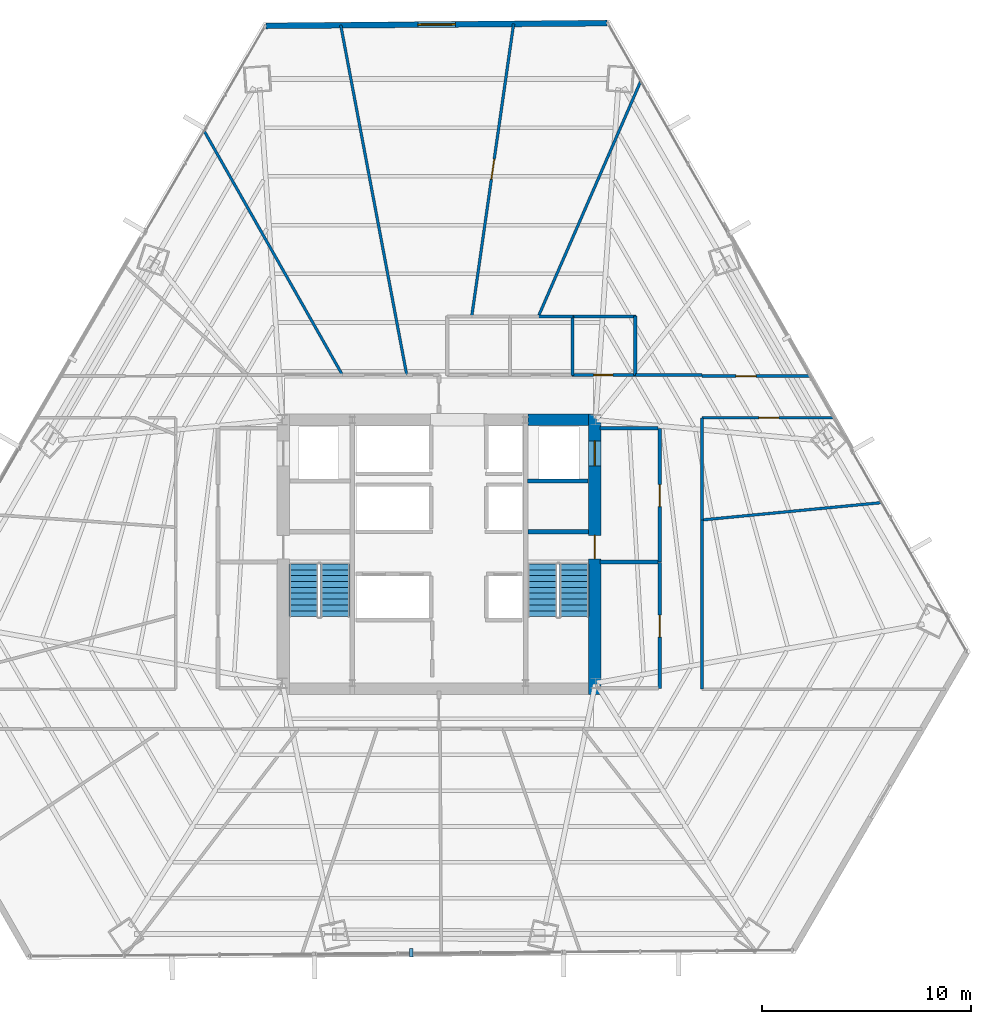
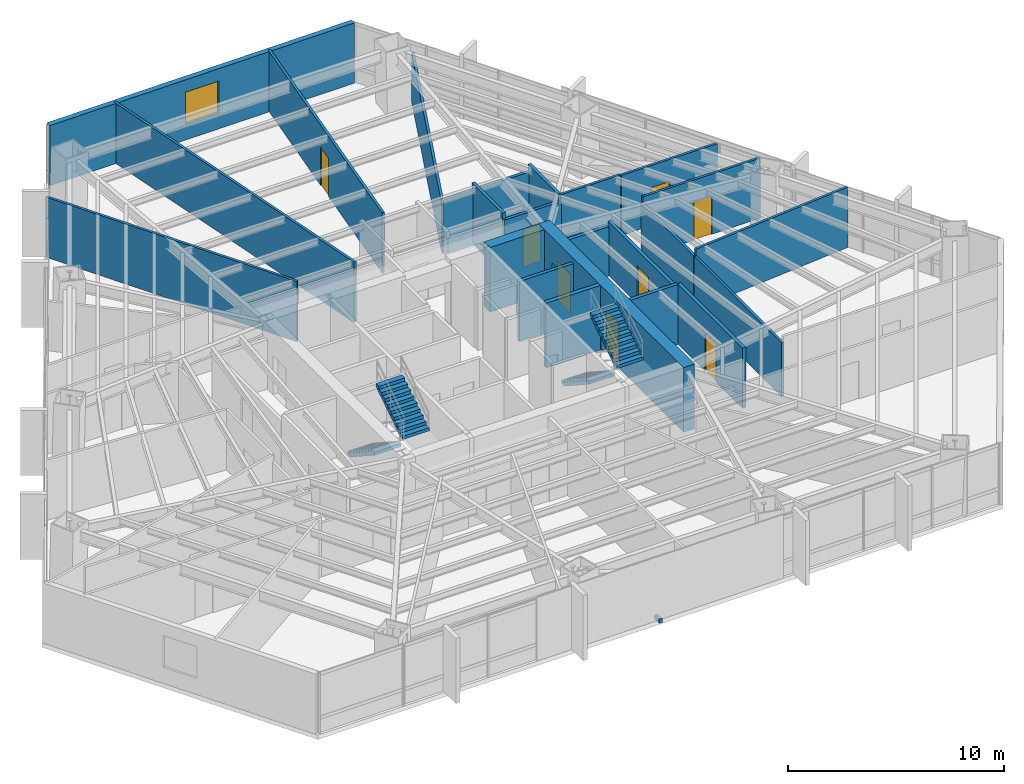
# One storey, part 31 of 35: 24 walls, 8 doors, 4 stair flights, 1 discrete accessory, 1 window, 9 openings, 2 elements without a shape of their own.
"""IFC4 building model written with IfcOpenShell, lengths in metres."""

from ifc_helpers import new_model, si_unit, direction, frame, frame_2d, origin, origin_2d, place, context, subcontext, project, spatial, polyline, rectangle, outline, extrude, source, transform, mapped, material, layer, layer_set, type_object, type_shapes, element, fill, aggregate, save


model = new_model("IFC4")

# Units and contexts
model_context = context("Model", 3, precision=1e-05, world=origin(), true_north=direction((0.0, 1.0)))
body_context = subcontext(model_context, "Body", "Model", "MODEL_VIEW")
ifc_project = project(units=[si_unit("LENGTHUNIT", "METRE"), si_unit("AREAUNIT", "SQUARE_METRE"), si_unit("VOLUMEUNIT", "CUBIC_METRE"), si_unit("PLANEANGLEUNIT", "RADIAN"), si_unit("MASSUNIT", "GRAM", prefix="KILO")], contexts=[model_context])

# Site, building, storey
site_placement = place(None, origin())
site = spatial("IfcSite", under=ifc_project, at=site_placement, CompositionType="ELEMENT")
building_placement = place(site_placement, origin())
building = spatial("IfcBuilding", under=site, at=building_placement, Name="Caelisora Broadcast Tower", CompositionType="ELEMENT")
storey_placement = place(building_placement, frame((0.0, 0.0, 53.14990234375)))
storey = spatial("IfcBuildingStorey", under=building, at=storey_placement, Name="L13", CompositionType="ELEMENT", Elevation=53.14990234375)

# Wall, openings, doors
ifc_material_1 = material(Name="Concrete 65 MPa (AS 3600 S65)", Category="concrete")
ifc_layer_1 = layer(ifc_material_1, 0.60009765625, Name="Concrete 65 MPa (AS 3600 S65)")
ifc_layer_set_1 = layer_set([ifc_layer_1], Name="Concrete 65 MPa (AS 3600 S65)")
wall_type_1 = type_object("IfcWallType", Name="CW1", PredefinedType="SHEAR", material=ifc_layer_set_1)
wall_1_placement = place(storey_placement, frame((45.4599609375, 16.85009765625, 0.0), z_axis=(0.0, 0.0, 1.0), x_axis=(0.0, 1.0, 0.0)))
wall_1 = element("IfcWall", 1, at=wall_1_placement, inside=storey, type_object=wall_type_1, Name="L13 core shear wall CW1", PredefinedType="SHEAR", context=body_context, shape_type="SweptSolid", body=[
    extrude(rectangle(XDim=13.4248046875, YDim=0.60009765625, at=frame_2d((6.71240234375, 0.0))), origin(), (0.0, 0.0, 1.0), 3.650146484375),
])
opening_1_placement = place(wall_1_placement, frame((6.5, 0.0, 0.0)))
opening_1 = element("IfcOpeningElement", 2, at=opening_1_placement, cuts=wall_1, Name="Opening FD04", PredefinedType="OPENING", context=body_context, shape_type="SweptSolid", body=[
    extrude(rectangle(XDim=1.1201171875, YDim=2.14990234375, at=frame_2d((0.56005859375, 1.074951171875))), frame((0.0, 0.31201171875, 0.0), z_axis=(0.0, -1.0, 0.0), x_axis=(1.0, 0.0, 0.0)), (0.0, 0.0, 1.0), 0.6240234375),
])
opening_2_placement = place(wall_1_placement, frame((10.949951171875, 0.0, 0.0)))
opening_2 = element("IfcOpeningElement", 3, at=opening_2_placement, cuts=wall_1, Name="Opening LD04", PredefinedType="OPENING", context=body_context, shape_type="SweptSolid", body=[
    extrude(rectangle(XDim=1.199951171875, YDim=2.199951171875, at=frame_2d((0.60009765625, 1.10009765625))), frame((0.0, 0.31201171875, 0.0), z_axis=(0.0, -1.0, 0.0), x_axis=(1.0, 0.0, 0.0)), (0.0, 0.0, 1.0), 0.6240234375),
])
ifc_material_2 = material(Name="Pressurised Fire-Isolated Stair Door", Category="steel")
door_type_1 = type_object("IfcDoorType", Name="FD04", OperationType="NOTDEFINED", PredefinedType="DOOR", material=ifc_material_2)
door_1_placement = place(opening_1_placement, origin())
door_1 = element("IfcDoor", 4, at=door_1_placement, inside=storey, type_object=door_type_1, Name="L13 door FD04 (L13-DR-ST2)", OperationType="SINGLE_SWING_RIGHT", OverallHeight=2.14990234375, OverallWidth=1.1201171875, PredefinedType="DOOR", context=body_context, shape_type="SweptSolid", body=[
    extrude(rectangle(XDim=1.1201171875, YDim=2.14990234375, at=frame_2d((0.56005859375, 1.074951171875))), frame((0.0, 0.02490234375, 0.0), z_axis=(0.0, -1.0, 0.0), x_axis=(1.0, 0.0, 0.0)), (0.0, 0.0, 1.0), 0.050048828125),
])
fill(opening_1, door_1)
ifc_material_3 = material(Name="Emergency Firefighting Lift Sliding Landing Door", Category="steel")
door_type_2 = type_object("IfcDoorType", Name="LD04", OperationType="NOTDEFINED", PredefinedType="DOOR", material=ifc_material_3)
door_2_placement = place(opening_2_placement, origin())
door_2 = element("IfcDoor", 5, at=door_2_placement, inside=storey, type_object=door_type_2, Name="L13 door LD04 (L13-LD-FFL2)", OperationType="SLIDING_TO_RIGHT", OverallHeight=2.199951171875, OverallWidth=1.199951171875, PredefinedType="DOOR", context=body_context, shape_type="SweptSolid", body=[
    extrude(rectangle(XDim=1.199951171875, YDim=2.199951171875, at=frame_2d((0.60009765625, 1.10009765625))), frame((0.0, 0.02490234375, 0.0), z_axis=(0.0, -1.0, 0.0), x_axis=(1.0, 0.0, 0.0)), (0.0, 0.0, 1.0), 0.050048828125),
])
fill(opening_2, door_2)

# Walls
ifc_layer_2 = layer(ifc_material_1, 0.550048828125, Name="Concrete 65 MPa (AS 3600 S65)")
ifc_layer_set_2 = layer_set([ifc_layer_2], Name="Concrete 65 MPa (AS 3600 S65)")
wall_type_2 = type_object("IfcWallType", Name="CW4", PredefinedType="SHEAR", material=ifc_layer_set_2)
wall_2_placement = place(storey_placement, frame((42.260009765625, 30.0, 0.0), z_axis=(0.0, 0.0, 1.0), x_axis=(1.0, 0.0, 0.0)))
element("IfcWall", 6, at=wall_2_placement, inside=storey, type_object=wall_type_2, Name="L13 core shear wall CW4", PredefinedType="SHEAR", context=body_context, shape_type="SweptSolid", body=[
    extrude(rectangle(XDim=2.89990234375, YDim=0.550048828125, at=frame_2d((1.449951171875, 0.0))), origin(), (0.0, 0.0, 1.0), 3.650146484375),
])
ifc_material_4 = material(Name="Concrete 50 MPa (AS 3600 S50)", Category="concrete")
ifc_layer_3 = layer(ifc_material_4, 0.219970703125, Name="Concrete 50 MPa (AS 3600 S50)")
ifc_layer_set_3 = layer_set([ifc_layer_3], Name="Concrete 50 MPa (AS 3600 S50)")
wall_type_3 = type_object("IfcWallType", Name="CW7", PredefinedType="SHEAR", material=ifc_layer_set_3)
wall_3_placement = place(storey_placement, frame((42.260009765625, 24.639892578125, 0.0), z_axis=(0.0, 0.0, 1.0), x_axis=(1.0, 0.0, 0.0)))
element("IfcWall", 7, at=wall_3_placement, inside=storey, type_object=wall_type_3, Name="L13 core shear wall CW7", PredefinedType="SHEAR", context=body_context, shape_type="SweptSolid", body=[
    extrude(rectangle(XDim=2.89990234375, YDim=0.219970703125, at=frame_2d((1.449951171875, 0.0))), origin(), (0.0, 0.0, 1.0), 3.650146484375),
])

# Wall, opening, window
ifc_material_5 = material(Name="Insulated Terracotta Spandrel Wall System", Category="masonry")
ifc_layer_4 = layer(ifc_material_5, 0.280029296875, Name="Insulated Terracotta Spandrel Wall System")
ifc_layer_set_4 = layer_set([ifc_layer_4], Name="Insulated Terracotta Spandrel Wall System")
wall_type_4 = type_object("IfcWallType", Name="EW1", PredefinedType="STANDARD", material=ifc_layer_set_4)
wall_4_placement = place(storey_placement, frame((29.718017578125, 48.8701171875, 0.0), z_axis=(0.0, 0.0, 1.0), x_axis=(0.999968989334, 0.007875301234, 0.0)))
wall_4 = element("IfcWall", 8, at=wall_4_placement, inside=storey, type_object=wall_type_4, Name="L13 exterior envelope wall EW1", PredefinedType="STANDARD", context=body_context, shape_type="SweptSolid", body=[
    extrude(rectangle(XDim=16.33740234375, YDim=0.280029296875, at=frame_2d((8.168701171875, 0.0))), origin(), (0.0, 0.0, 1.0), 3.400146484375),
])
opening_3_placement = place(wall_4_placement, frame((7.27001953125, 0.0, 0.89990234375)))
opening_3 = element("IfcOpeningElement", 9, at=opening_3_placement, cuts=wall_4, Name="Opening W01", PredefinedType="OPENING", context=body_context, shape_type="SweptSolid", body=[
    extrude(rectangle(XDim=1.800048828125, YDim=1.800048828125, at=frame_2d((0.89990234375, 0.89990234375))), frame((0.0, 0.152099609375, 0.0), z_axis=(0.0, -1.0, 0.0), x_axis=(1.0, 0.0, 0.0)), (0.0, 0.0, 1.0), 0.303955078125),
])
ifc_material_6 = material(Name="Double Glazed Terracotta-Framed Vision Window", Category="glass")
window_type = type_object("IfcWindowType", Name="W01", PartitioningType="SINGLE_PANEL", PredefinedType="WINDOW", material=ifc_material_6)
window_placement = place(opening_3_placement, origin())
window = element("IfcWindow", 10, at=window_placement, inside=storey, type_object=window_type, Name="L13 window W01 (L13-WN-CH8)", OverallHeight=1.800048828125, OverallWidth=1.800048828125, PartitioningType="SINGLE_PANEL", PredefinedType="WINDOW", context=body_context, shape_type="SweptSolid", body=[
    extrude(rectangle(XDim=1.800048828125, YDim=1.800048828125, at=frame_2d((0.89990234375, 0.89990234375))), frame((0.0, 0.030029296875, 0.0), z_axis=(0.0, -1.0, 0.0), x_axis=(1.0, 0.0, 0.0)), (0.0, 0.0, 1.0), 0.06005859375),
])
fill(opening_3, window)

# Wall, opening, door
ifc_material_7 = material(Name="Fire-Rated Gypsum Shaft and Compartment Wall", Category="gypsum")
ifc_layer_5 = layer(ifc_material_7, 0.179931640625, Name="Fire-Rated Gypsum Shaft and Compartment Wall")
ifc_layer_set_5 = layer_set([ifc_layer_5], Name="Fire-Rated Gypsum Shaft and Compartment Wall")
wall_type_5 = type_object("IfcWallType", Name="PW2", PredefinedType="PARTITIONING", material=ifc_layer_set_5)
wall_5_placement = place(storey_placement, frame((48.580078125, 23.199951171875, 0.0), z_axis=(0.0, 0.0, 1.0), x_axis=(0.0, 1.0, 0.0)))
wall_5 = element("IfcWall", 11, at=wall_5_placement, inside=storey, type_object=wall_type_5, Name="L13 fire compartment wall PW2", PredefinedType="PARTITIONING", context=body_context, shape_type="SweptSolid", body=[
    extrude(rectangle(XDim=6.400146484375, YDim=0.179931640625, at=frame_2d((3.2001953125, 0.0))), origin(), (0.0, 0.0, 1.0), 3.026611328125),
])
opening_4_placement = place(wall_5_placement, frame((2.64990234375, 0.0, 0.0)))
opening_4 = element("IfcOpeningElement", 12, at=opening_4_placement, cuts=wall_5, Name="Opening FD02", PredefinedType="OPENING", context=body_context, shape_type="SweptSolid", body=[
    extrude(rectangle(XDim=1.050048828125, YDim=2.14990234375, at=frame_2d((0.52490234375, 1.074951171875))), frame((0.0, 0.10205078125, 0.0), z_axis=(0.0, -1.0, 0.0), x_axis=(1.0, 0.0, 0.0)), (0.0, 0.0, 1.0), 0.203857421875),
])
ifc_material_8 = material(Name="Single-Leaf Steel Fire Lobby Door", Category="steel")
door_type_3 = type_object("IfcDoorType", Name="FD02", OperationType="NOTDEFINED", PredefinedType="DOOR", material=ifc_material_8)
door_3_placement = place(opening_4_placement, origin())
door_3 = element("IfcDoor", 13, at=door_3_placement, inside=storey, type_object=door_type_3, Name="L13 door FD02 (L13-DR-P04D1)", OperationType="SINGLE_SWING_RIGHT", OverallHeight=2.14990234375, OverallWidth=1.050048828125, PredefinedType="DOOR", context=body_context, shape_type="SweptSolid", body=[
    extrude(rectangle(XDim=1.050048828125, YDim=2.14990234375, at=frame_2d((0.52490234375, 1.074951171875))), frame((0.0, 0.02490234375, 0.0), z_axis=(0.0, -1.0, 0.0), x_axis=(1.0, 0.0, 0.0)), (0.0, 0.0, 1.0), 0.050048828125),
])
fill(opening_4, door_3)

# Walls
wall_6_placement = place(storey_placement, frame((45.719970703125, 23.199951171875, 0.0), z_axis=(0.0, 0.0, 1.0), x_axis=(1.0, 0.0, 0.0)))
element("IfcWall", 14, at=wall_6_placement, inside=storey, type_object=wall_type_5, Name="L13 fire compartment wall PW2", PredefinedType="PARTITIONING", context=body_context, shape_type="SweptSolid", body=[
    extrude(rectangle(XDim=2.760009765625, YDim=0.179931640625, at=frame_2d((1.3798828125, 0.0))), origin(), (0.0, 0.0, 1.0), 3.400146484375),
])
wall_7_placement = place(storey_placement, frame((45.719970703125, 29.60009765625, 0.0), z_axis=(0.0, 0.0, 1.0), x_axis=(1.0, 0.0, 0.0)))
element("IfcWall", 15, at=wall_7_placement, inside=storey, type_object=wall_type_5, Name="L13 fire compartment wall PW2", PredefinedType="PARTITIONING", context=body_context, shape_type="SweptSolid", body=[
    extrude(rectangle(XDim=2.760009765625, YDim=0.179931640625, at=frame_2d((1.3798828125, 0.0))), origin(), (0.0, 0.0, 1.0), 2.782958984375),
])
wall_8_placement = place(storey_placement, frame((42.239990234375, 27.070068359375, 0.0), z_axis=(0.0, 0.0, 1.0), x_axis=(1.0, 0.0, 0.0)))
element("IfcWall", 16, at=wall_8_placement, inside=storey, type_object=wall_type_5, Name="L13 fire compartment wall PW2", PredefinedType="PARTITIONING", context=body_context, shape_type="SweptSolid", body=[
    extrude(rectangle(XDim=2.89990234375, YDim=0.179931640625, at=frame_2d((1.449951171875, 0.0))), origin(), (0.0, 0.0, 1.0), 3.400146484375),
])

# Wall, opening, door
wall_9_placement = place(storey_placement, frame((48.580078125, 17.14990234375, 0.0), z_axis=(0.0, 0.0, 1.0), x_axis=(0.0, 1.0, 0.0)))
wall_9 = element("IfcWall", 17, at=wall_9_placement, inside=storey, type_object=wall_type_5, Name="L13 fire compartment wall PW2", PredefinedType="PARTITIONING", context=body_context, shape_type="SweptSolid", body=[
    extrude(rectangle(XDim=6.030029296875, YDim=0.179931640625, at=frame_2d((3.01513671875, 0.0))), origin(), (0.0, 0.0, 1.0), 3.400146484375),
])
opening_5_placement = place(wall_9_placement, frame((2.449951171875, 0.0, 0.0)))
opening_5 = element("IfcOpeningElement", 18, at=opening_5_placement, cuts=wall_9, Name="Opening FD02", PredefinedType="OPENING", context=body_context, shape_type="SweptSolid", body=[
    extrude(rectangle(XDim=1.050048828125, YDim=2.14990234375, at=frame_2d((0.52490234375, 1.074951171875))), frame((0.0, 0.10205078125, 0.0), z_axis=(0.0, -1.0, 0.0), x_axis=(1.0, 0.0, 0.0)), (0.0, 0.0, 1.0), 0.203857421875),
])
door_4_placement = place(opening_5_placement, origin())
door_4 = element("IfcDoor", 19, at=door_4_placement, inside=storey, type_object=door_type_3, Name="L13 door FD02 (L13-DR-P14D1)", OperationType="SINGLE_SWING_LEFT", OverallHeight=2.14990234375, OverallWidth=1.050048828125, PredefinedType="DOOR", context=body_context, shape_type="SweptSolid", body=[
    extrude(rectangle(XDim=1.050048828125, YDim=2.14990234375, at=frame_2d((0.52490234375, 1.074951171875))), frame((0.0, 0.02490234375, 0.0), z_axis=(0.0, -1.0, 0.0), x_axis=(1.0, 0.0, 0.0)), (0.0, 0.0, 1.0), 0.050048828125),
])
fill(opening_5, door_4)

# Wall
ifc_material_9 = material(Name="Acoustic Steel-Stud Plasterboard Partition", Category="gypsum")
ifc_layer_6 = layer(ifc_material_9, 0.1298828125, Name="Acoustic Steel-Stud Plasterboard Partition")
ifc_layer_set_6 = layer_set([ifc_layer_6], Name="Acoustic Steel-Stud Plasterboard Partition")
wall_type_6 = type_object("IfcWallType", Name="PW3", PredefinedType="PARTITIONING", material=ifc_layer_set_6)
wall_10_placement = place(storey_placement, frame((33.29833984375, 48.9033203125, 0.0), z_axis=(0.0, 0.0, 1.0), x_axis=(0.1854412642, -0.98265535033, 0.0)))
element("IfcWall", 20, at=wall_10_placement, inside=storey, type_object=wall_type_6, Name="L13 internal partition PW3", PredefinedType="PARTITIONING", context=body_context, shape_type="SweptSolid", body=[
    extrude(rectangle(XDim=17.0439453125, YDim=0.1298828125, at=frame_2d((8.52197265625, 0.0))), origin(), (0.0, 0.0, 1.0), 3.400146484375),
])

# Wall, opening, door
wall_11_placement = place(storey_placement, frame((39.571044921875, 34.955078125, 0.0), z_axis=(0.0, 0.0, 1.0), x_axis=(0.141691765626, 0.989910826062, 0.0)))
wall_11 = element("IfcWall", 21, at=wall_11_placement, inside=storey, type_object=wall_type_6, Name="L13 internal partition PW3", PredefinedType="PARTITIONING", context=body_context, shape_type="SweptSolid", body=[
    extrude(rectangle(XDim=14.156494140625, YDim=0.1298828125, at=frame_2d((7.078125, 0.0))), origin(), (0.0, 0.0, 1.0), 3.400146484375),
])
opening_6_placement = place(wall_11_placement, frame((6.64404296875, 0.0, 0.0)))
opening_6 = element("IfcOpeningElement", 22, at=opening_6_placement, cuts=wall_11, Name="Opening D01", PredefinedType="OPENING", context=body_context, shape_type="SweptSolid", body=[
    extrude(rectangle(XDim=0.9599609375, YDim=2.14990234375, at=frame_2d((0.47998046875, 1.074951171875))), frame((0.0, 0.076904296875, 0.0), z_axis=(0.0, -1.0, 0.0), x_axis=(1.0, 0.0, 0.0)), (0.0, 0.0, 1.0), 0.15380859375),
])
ifc_material_10 = material(Name="Solid-Core Timber Acoustic Office Door", Category="wood")
door_type_4 = type_object("IfcDoorType", Name="D01", OperationType="NOTDEFINED", PredefinedType="DOOR", material=ifc_material_10)
door_5_placement = place(opening_6_placement, origin())
door_5 = element("IfcDoor", 23, at=door_5_placement, inside=storey, type_object=door_type_4, Name="L13 door D01 (L13-DR-P30D1)", OperationType="SINGLE_SWING_RIGHT", OverallHeight=2.14990234375, OverallWidth=0.9599609375, PredefinedType="DOOR", context=body_context, shape_type="SweptSolid", body=[
    extrude(rectangle(XDim=0.9599609375, YDim=2.14990234375, at=frame_2d((0.47998046875, 1.074951171875))), frame((0.0, 0.02490234375, 0.0), z_axis=(0.0, -1.0, 0.0), x_axis=(1.0, 0.0, 0.0)), (0.0, 0.0, 1.0), 0.050048828125),
])
fill(opening_6, door_5)

# Walls
wall_12_placement = place(storey_placement, frame((26.756103515625, 43.8408203125, 0.0), z_axis=(0.0, 0.0, 1.0), x_axis=(0.492974508402, -0.87004375411, 0.0)))
element("IfcWall", 24, at=wall_12_placement, inside=storey, type_object=wall_type_6, Name="L13 internal partition PW3", PredefinedType="PARTITIONING", context=body_context, shape_type="SweptSolid", body=[
    extrude(rectangle(XDim=13.432373046875, YDim=0.1298828125, at=frame_2d((6.71630859375, 0.0))), origin(), (0.0, 0.0, 1.0), 3.400146484375),
])
wall_13_placement = place(storey_placement, frame((42.761962890625, 34.955078125, 0.0), z_axis=(0.0, 0.0, 1.0), x_axis=(0.398972110349, 0.916963060959, 0.0)))
element("IfcWall", 25, at=wall_13_placement, inside=storey, type_object=wall_type_6, Name="L13 internal partition PW3", PredefinedType="PARTITIONING", context=body_context, shape_type="SweptSolid", body=[
    extrude(rectangle(XDim=12.301513671875, YDim=0.1298828125, at=frame_2d((6.15087890625, 0.0))), origin(), (0.0, 0.0, 1.0), 2.782958984375),
])
wall_14_placement = place(storey_placement, frame((50.60498046875, 25.2099609375, 0.0), z_axis=(0.0, 0.0, 1.0), x_axis=(0.995375580707, 0.096059634254, 0.0)))
element("IfcWall", 26, at=wall_14_placement, inside=storey, type_object=wall_type_6, Name="L13 internal partition PW3", PredefinedType="PARTITIONING", context=body_context, shape_type="SweptSolid", body=[
    extrude(rectangle(XDim=8.641357421875, YDim=0.1298828125, at=frame_2d((4.32080078125, 0.0))), origin(), (0.0, 0.0, 1.0), 3.400146484375),
])
wall_15_placement = place(storey_placement, frame((50.60009765625, 17.10498046875, 0.0), z_axis=(0.0, 0.0, 1.0), x_axis=(0.0, 1.0, 0.0)))
element("IfcWall", 27, at=wall_15_placement, inside=storey, type_object=wall_type_6, Name="L13 internal partition PW3", PredefinedType="PARTITIONING", context=body_context, shape_type="SweptSolid", body=[
    extrude(rectangle(XDim=8.10009765625, YDim=0.1298828125, at=frame_2d((4.050048828125, 0.0))), origin(), (0.0, 0.0, 1.0), 3.026611328125),
])

# Wall, opening, door
wall_16_placement = place(storey_placement, frame((50.60498046875, 30.10009765625, 0.0), z_axis=(0.0, 0.0, 1.0), x_axis=(1.0, 0.0, 0.0)))
wall_16 = element("IfcWall", 28, at=wall_16_placement, inside=storey, type_object=wall_type_6, Name="L13 internal partition PW3", PredefinedType="PARTITIONING", context=body_context, shape_type="SweptSolid", body=[
    extrude(rectangle(XDim=6.281982421875, YDim=0.1298828125, at=frame_2d((3.14111328125, 0.0))), origin(), (0.0, 0.0, 1.0), 3.400146484375),
])
opening_7_placement = place(wall_16_placement, frame((2.718017578125, 0.0, 0.0)))
opening_7 = element("IfcOpeningElement", 29, at=opening_7_placement, cuts=wall_16, Name="Opening D01", PredefinedType="OPENING", context=body_context, shape_type="SweptSolid", body=[
    extrude(rectangle(XDim=0.9599609375, YDim=2.14990234375, at=frame_2d((0.47998046875, 1.074951171875))), frame((0.0, 0.076904296875, 0.0), z_axis=(0.0, -1.0, 0.0), x_axis=(1.0, 0.0, 0.0)), (0.0, 0.0, 1.0), 0.15380859375),
])
door_6_placement = place(opening_7_placement, origin())
door_6 = element("IfcDoor", 30, at=door_6_placement, inside=storey, type_object=door_type_4, Name="L13 door D01 (L13-DR-P48D1)", OperationType="SINGLE_SWING_LEFT", OverallHeight=2.14990234375, OverallWidth=0.9599609375, PredefinedType="DOOR", context=body_context, shape_type="SweptSolid", body=[
    extrude(rectangle(XDim=0.9599609375, YDim=2.14990234375, at=frame_2d((0.47998046875, 1.074951171875))), frame((0.0, 0.02490234375, 0.0), z_axis=(0.0, -1.0, 0.0), x_axis=(1.0, 0.0, 0.0)), (0.0, 0.0, 1.0), 0.050048828125),
])
fill(opening_7, door_6)

wall_17_placement = place(storey_placement, frame((50.60498046875, 32.10009765625, 0.0), z_axis=(0.0, 0.0, 1.0), x_axis=(1.0, 0.0, 0.0)))
wall_17 = element("IfcWall", 31, at=wall_17_placement, inside=storey, type_object=wall_type_6, Name="L13 internal partition PW3", PredefinedType="PARTITIONING", context=body_context, shape_type="SweptSolid", body=[
    extrude(rectangle(XDim=5.139404296875, YDim=0.1298828125, at=frame_2d((2.56982421875, 0.0))), origin(), (0.0, 0.0, 1.0), 3.400146484375),
])
opening_8_placement = place(wall_17_placement, frame((1.6201171875, 0.0, 0.0)))
opening_8 = element("IfcOpeningElement", 32, at=opening_8_placement, cuts=wall_17, Name="Opening D01", PredefinedType="OPENING", context=body_context, shape_type="SweptSolid", body=[
    extrude(rectangle(XDim=0.9599609375, YDim=2.14990234375, at=frame_2d((0.47998046875, 1.074951171875))), frame((0.0, 0.076904296875, 0.0), z_axis=(0.0, -1.0, 0.0), x_axis=(1.0, 0.0, 0.0)), (0.0, 0.0, 1.0), 0.15380859375),
])
door_7_placement = place(opening_8_placement, origin())
door_7 = element("IfcDoor", 33, at=door_7_placement, inside=storey, type_object=door_type_4, Name="L13 door D01 (L13-DR-P50D1)", OperationType="SINGLE_SWING_LEFT", OverallHeight=2.14990234375, OverallWidth=0.9599609375, PredefinedType="DOOR", context=body_context, shape_type="SweptSolid", body=[
    extrude(rectangle(XDim=0.9599609375, YDim=2.14990234375, at=frame_2d((0.47998046875, 1.074951171875))), frame((0.0, 0.02490234375, 0.0), z_axis=(0.0, -1.0, 0.0), x_axis=(1.0, 0.0, 0.0)), (0.0, 0.0, 1.0), 0.050048828125),
])
fill(opening_8, door_7)

# Walls
wall_18_placement = place(storey_placement, frame((50.60009765625, 25.215087890625, 0.0), z_axis=(0.0, 0.0, 1.0), x_axis=(0.0, 1.0, 0.0)))
element("IfcWall", 34, at=wall_18_placement, inside=storey, type_object=wall_type_6, Name="L13 internal partition PW3", PredefinedType="PARTITIONING", context=body_context, shape_type="SweptSolid", body=[
    extrude(rectangle(XDim=4.8798828125, YDim=0.1298828125, at=frame_2d((2.43994140625, 0.0))), origin(), (0.0, 0.0, 1.0), 3.026611328125),
])
wall_19_placement = place(storey_placement, frame((47.405029296875, 32.14990234375, 0.0), z_axis=(0.0, 0.0, 1.0), x_axis=(1.0, 0.0, 0.0)))
element("IfcWall", 35, at=wall_19_placement, inside=storey, type_object=wall_type_6, Name="L13 internal partition PW3", PredefinedType="PARTITIONING", context=body_context, shape_type="SweptSolid", body=[
    extrude(rectangle(XDim=3.18994140625, YDim=0.1298828125, at=frame_2d((1.594970703125, 0.0))), origin(), (0.0, 0.0, 1.0), 3.400146484375),
])

# Wall, opening, door
ifc_material_11 = material(Name="Moisture-Resistant Wet Plumbing Service Wall", Category="gypsum")
ifc_layer_7 = layer(ifc_material_11, 0.159912109375, Name="Moisture-Resistant Wet Plumbing Service Wall")
ifc_layer_set_7 = layer_set([ifc_layer_7], Name="Moisture-Resistant Wet Plumbing Service Wall")
wall_type_7 = type_object("IfcWallType", Name="PW4", PredefinedType="PLUMBINGWALL", material=ifc_layer_set_7)
wall_20_placement = place(storey_placement, frame((44.375, 32.14990234375, 0.0), z_axis=(0.0, 0.0, 1.0), x_axis=(1.0, 0.0, 0.0)))
wall_20 = element("IfcWall", 36, at=wall_20_placement, inside=storey, type_object=wall_type_7, Name="L13 wet plumbing wall PW4", PredefinedType="PLUMBINGWALL", context=body_context, shape_type="SweptSolid", body=[
    extrude(rectangle(XDim=3.050048828125, YDim=0.159912109375, at=frame_2d((1.52490234375, 0.0))), origin(), (0.0, 0.0, 1.0), 3.026611328125),
])
opening_9_placement = place(wall_20_placement, frame((1.034912109375, 0.0, 0.0)))
opening_9 = element("IfcOpeningElement", 37, at=opening_9_placement, cuts=wall_20, Name="Opening D03", PredefinedType="OPENING", context=body_context, shape_type="SweptSolid", body=[
    extrude(rectangle(XDim=0.919921875, YDim=2.10009765625, at=frame_2d((0.4599609375, 1.050048828125))), frame((0.0, 0.092041015625, 0.0), z_axis=(0.0, -1.0, 0.0), x_axis=(1.0, 0.0, 0.0)), (0.0, 0.0, 1.0), 0.183837890625),
])
ifc_material_12 = material(Name="Laminate Moisture-Resistant Amenity WC Door", Category="wood")
door_type_5 = type_object("IfcDoorType", Name="D03", OperationType="NOTDEFINED", PredefinedType="DOOR", material=ifc_material_12)
door_8_placement = place(opening_9_placement, origin())
door_8 = element("IfcDoor", 38, at=door_8_placement, inside=storey, type_object=door_type_5, Name="L13 door D03 (L13-DR-P18D1)", OperationType="SINGLE_SWING_RIGHT", OverallHeight=2.10009765625, OverallWidth=0.919921875, PredefinedType="DOOR", context=body_context, shape_type="SweptSolid", body=[
    extrude(rectangle(XDim=0.919921875, YDim=2.10009765625, at=frame_2d((0.4599609375, 1.050048828125))), frame((0.0, 0.02490234375, 0.0), z_axis=(0.0, -1.0, 0.0), x_axis=(1.0, 0.0, 0.0)), (0.0, 0.0, 1.0), 0.050048828125),
])
fill(opening_9, door_8)

# Walls
wall_21_placement = place(storey_placement, frame((47.425048828125, 34.949951171875, 0.0), z_axis=(0.0, 0.0, 1.0), x_axis=(-1.0, 0.0, 0.0)))
element("IfcWall", 39, at=wall_21_placement, inside=storey, type_object=wall_type_7, Name="L13 wet plumbing wall PW4", PredefinedType="PLUMBINGWALL", context=body_context, shape_type="SweptSolid", body=[
    extrude(rectangle(XDim=3.050048828125, YDim=0.159912109375, at=frame_2d((1.52490234375, 0.0))), origin(), (0.0, 0.0, 1.0), 3.026611328125),
])
for number, where, z_axis, x_axis, name in (
    (40, (44.39990234375, 32.125, 0.0), (0.0, 0.0, 1.0), (0.0, 1.0, 0.0), "L13 wet plumbing wall PW4"),
    (41, (47.39990234375, 32.125, 0.0), (0.0, 0.0, 1.0), (0.0, 1.0, 0.0), "L13 wet plumbing wall PW4"),
):
    element("IfcWall", number, at=place(storey_placement, frame(where, z_axis=z_axis, x_axis=x_axis)), inside=storey, type_object=wall_type_7, Name=name, PredefinedType="PLUMBINGWALL", context=body_context, shape_type="SweptSolid", body=[
        extrude(rectangle(XDim=2.85009765625, YDim=0.159912109375, at=frame_2d((1.425048828125, 0.0))), origin(), (0.0, 0.0, 1.0), 3.400146484375),
    ])
wall_22_placement = place(storey_placement, frame((42.735107421875, 34.949951171875, 0.0), z_axis=(0.0, 0.0, 1.0), x_axis=(1.0, 0.0, 0.0)))
element("IfcWall", 42, at=wall_22_placement, inside=storey, type_object=wall_type_7, Name="L13 wet plumbing wall PW4", PredefinedType="PLUMBINGWALL", context=body_context, shape_type="SweptSolid", body=[
    extrude(rectangle(XDim=1.68994140625, YDim=0.159912109375, at=frame_2d((0.844970703125, 0.0))), origin(), (0.0, 0.0, 1.0), 3.026611328125),
])

# Stair, stair flights
ifc_material_13 = material(Name="Concrete 40 MPa (AS 3600 N40)", Category="concrete")
stair_type_1 = type_object("IfcStairType", Name="ST-1", PredefinedType="HALF_TURN_STAIR", material=ifc_material_13)
stair_1_placement = place(storey_placement, origin())
stair_1 = element("IfcStair", 43, at=stair_1_placement, inside=storey, type_object=stair_type_1, Name="L13 West Fire-Isolated Tower Stair", PredefinedType="HALF_TURN_STAIR")
stair_flight_type = type_object("IfcStairFlightType", Name="STF-2", PredefinedType="STRAIGHT", material=ifc_material_13)
stair_flight_1_placement = place(storey_placement, frame((31.52001953125, 23.10009765625, 0.0), z_axis=(0.0, 0.0, 1.0), x_axis=(0.0, -1.0, 0.0)))
stair_flight_1 = element("IfcStairFlight", 44, at=stair_flight_1_placement, type_object=stair_flight_type, Name="ST-1 flight 1", NumberOfRisers=10, NumberOfTreads=9, PredefinedType="STRAIGHT", RiserHeight=0.1825, TreadLength=0.28, context=body_context, shape_type="SweptSolid", body=[
    extrude(outline(polyline([(0.0, 0.0), (0.0, 0.1826171875), (0.280029296875, 0.1826171875), (0.280029296875, 0.364990234375), (0.56005859375, 0.364990234375), (0.56005859375, 0.547607421875), (0.840087890625, 0.547607421875), (0.840087890625, 0.72998046875), (1.1201171875, 0.72998046875), (1.1201171875, 0.91259765625), (1.39990234375, 0.91259765625), (1.39990234375, 1.094970703125), (1.679931640625, 1.094970703125), (1.679931640625, 1.277587890625), (1.9599609375, 1.277587890625), (1.9599609375, 1.4599609375), (2.239990234375, 1.4599609375), (2.239990234375, 1.642578125), (2.52001953125, 1.642578125), (2.52001953125, 1.824951171875), (2.52001953125, 1.463623046875), (0.2744140625, 0.0), (0.0, 0.0)])), frame((0.0, 0.699951171875, 0.0), z_axis=(0.0, -1.0, 0.0), x_axis=(1.0, 0.0, 0.0)), (0.0, 0.0, 1.0), 1.39990234375),
])
stair_flight_2_placement = place(storey_placement, frame((33.0400390625, 20.580078125, 1.8251953125), z_axis=(0.0, 0.0, 1.0), x_axis=(0.0, 1.0, 0.0)))
stair_flight_2 = element("IfcStairFlight", 45, at=stair_flight_2_placement, type_object=stair_flight_type, Name="ST-1 flight 2", NumberOfRisers=10, NumberOfTreads=9, PredefinedType="STRAIGHT", RiserHeight=0.1825, TreadLength=0.28, context=body_context, shape_type="SweptSolid", body=[
    extrude(outline(polyline([(0.0, 0.0), (0.0, 0.1826171875), (0.280029296875, 0.1826171875), (0.280029296875, 0.364990234375), (0.56005859375, 0.364990234375), (0.56005859375, 0.547607421875), (0.840087890625, 0.547607421875), (0.840087890625, 0.72998046875), (1.1201171875, 0.72998046875), (1.1201171875, 0.91259765625), (1.39990234375, 0.91259765625), (1.39990234375, 1.094970703125), (1.679931640625, 1.094970703125), (1.679931640625, 1.277587890625), (1.9599609375, 1.277587890625), (1.9599609375, 1.4599609375), (2.239990234375, 1.4599609375), (2.239990234375, 1.642578125), (2.52001953125, 1.642578125), (2.52001953125, 1.824951171875), (2.52001953125, 1.463623046875), (0.2744140625, 0.0), (0.0, 0.0)])), frame((0.0, 0.699951171875, 0.0), z_axis=(0.0, -1.0, 0.0), x_axis=(1.0, 0.0, 0.0)), (0.0, 0.0, 1.0), 1.39990234375),
])
aggregate(stair_1, [stair_flight_1, stair_flight_2])

stair_type_2 = type_object("IfcStairType", Name="ST-2", PredefinedType="HALF_TURN_STAIR", material=ifc_material_13)
stair_2_placement = place(storey_placement, origin())
stair_2 = element("IfcStair", 46, at=stair_2_placement, inside=storey, type_object=stair_type_2, Name="L13 East Fire-Isolated Tower Stair", PredefinedType="HALF_TURN_STAIR")
stair_flight_3_placement = place(storey_placement, frame((42.9599609375, 23.10009765625, 0.0), z_axis=(0.0, 0.0, 1.0), x_axis=(0.0, -1.0, 0.0)))
stair_flight_3 = element("IfcStairFlight", 47, at=stair_flight_3_placement, type_object=stair_flight_type, Name="ST-2 flight 1", NumberOfRisers=10, NumberOfTreads=9, PredefinedType="STRAIGHT", RiserHeight=0.1825, TreadLength=0.28, context=body_context, shape_type="SweptSolid", body=[
    extrude(outline(polyline([(0.0, 0.0), (0.0, 0.1826171875), (0.280029296875, 0.1826171875), (0.280029296875, 0.364990234375), (0.56005859375, 0.364990234375), (0.56005859375, 0.547607421875), (0.840087890625, 0.547607421875), (0.840087890625, 0.72998046875), (1.1201171875, 0.72998046875), (1.1201171875, 0.91259765625), (1.39990234375, 0.91259765625), (1.39990234375, 1.094970703125), (1.679931640625, 1.094970703125), (1.679931640625, 1.277587890625), (1.9599609375, 1.277587890625), (1.9599609375, 1.4599609375), (2.239990234375, 1.4599609375), (2.239990234375, 1.642578125), (2.52001953125, 1.642578125), (2.52001953125, 1.824951171875), (2.52001953125, 1.463623046875), (0.2744140625, 0.0), (0.0, 0.0)])), frame((0.0, 0.699951171875, 0.0), z_axis=(0.0, -1.0, 0.0), x_axis=(1.0, 0.0, 0.0)), (0.0, 0.0, 1.0), 1.39990234375),
])
stair_flight_4_placement = place(storey_placement, frame((44.47998046875, 20.580078125, 1.8251953125), z_axis=(0.0, 0.0, 1.0), x_axis=(0.0, 1.0, 0.0)))
stair_flight_4 = element("IfcStairFlight", 48, at=stair_flight_4_placement, type_object=stair_flight_type, Name="ST-2 flight 2", NumberOfRisers=10, NumberOfTreads=9, PredefinedType="STRAIGHT", RiserHeight=0.1825, TreadLength=0.28, context=body_context, shape_type="SweptSolid", body=[
    extrude(outline(polyline([(0.0, 0.0), (0.0, 0.1826171875), (0.280029296875, 0.1826171875), (0.280029296875, 0.364990234375), (0.56005859375, 0.364990234375), (0.56005859375, 0.547607421875), (0.840087890625, 0.547607421875), (0.840087890625, 0.72998046875), (1.1201171875, 0.72998046875), (1.1201171875, 0.91259765625), (1.39990234375, 0.91259765625), (1.39990234375, 1.094970703125), (1.679931640625, 1.094970703125), (1.679931640625, 1.277587890625), (1.9599609375, 1.277587890625), (1.9599609375, 1.4599609375), (2.239990234375, 1.4599609375), (2.239990234375, 1.642578125), (2.52001953125, 1.642578125), (2.52001953125, 1.824951171875), (2.52001953125, 1.463623046875), (0.2744140625, 0.0), (0.0, 0.0)])), frame((0.0, 0.699951171875, 0.0), z_axis=(0.0, -1.0, 0.0), x_axis=(1.0, 0.0, 0.0)), (0.0, 0.0, 1.0), 1.39990234375),
])
aggregate(stair_2, [stair_flight_3, stair_flight_4])

# Discrete accessory
ifc_material_14 = material(Name="Steel Grade 350 (AS/NZS 3679.1)", Category="steel")
discrete_accessory_type = type_object("IfcDiscreteAccessoryType", Name="BRK-1", PredefinedType="BRACKET", material=ifc_material_14)
shared_shape = source(origin(), body_context, "Body", "SweptSolid", [
    extrude(rectangle(XDim=0.179931640625, YDim=0.419921875, at=origin_2d()), origin(), (0.0, 0.0, 1.0), 0.219970703125),
])
type_shapes(discrete_accessory_type, [shared_shape])
discrete_accessory_placement = place(storey_placement, frame((36.67919921875, 4.486572265625, -0.15966796875), z_axis=(0.0, 0.0, 1.0), x_axis=(0.999969157645, 0.007853900889, 0.0)))
element("IfcDiscreteAccessory", 49, at=discrete_accessory_placement, inside=storey, type_object=discrete_accessory_type, Name="L13 solar screen outrigger bracket #2", PredefinedType="BRACKET", context=body_context, shape_type="MappedRepresentation", body=[
    mapped(shared_shape, transform((0.0, 0.0, 0.0), scale=1.0)),
])

save(model, "model.ifc")
